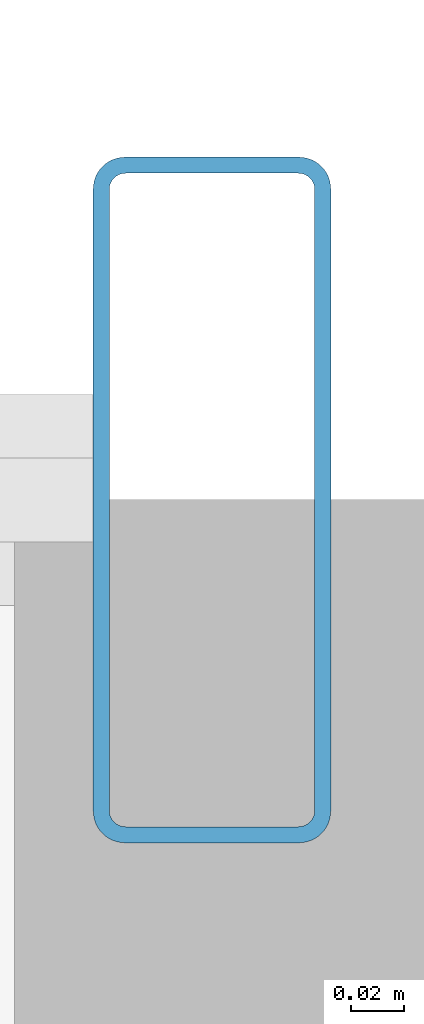
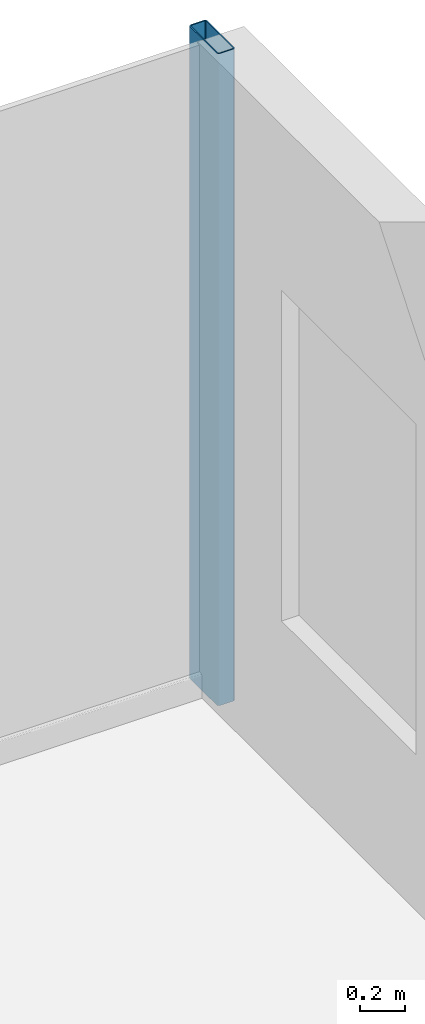
# One storey, part 14 of 26: 1 member, 1 element without a shape of its own.
"""IFC4 building model written with IfcOpenShell, lengths in metres."""

import ifcopenshell
import ifcopenshell.guid

model = None  # the IFC model being written
_history = None  # IfcOwnerHistory: only IFC2X3 demands one
_inside = {}  # id of a spatial element -> (the spatial element, [elements in it])
_under = {}  # id of a project, library or spatial element -> (it, [spatial elements below it])
_declared = {}  # id of a project -> (the project, [libraries it declares])
_typed = {}  # id of a type object -> (the type object, [elements of that type])
_made_of = {}  # id of a material, layer set ... -> (it, [elements and type objects made of it])


def new_model(schema):
    """Start an empty IFC model of exactly this schema.

    Asked for "IFC4X3", IfcOpenShell would pick the latest addendum, in which some entities
    have other attributes; the version numbers below select the first issue.
    IFC2X3 requires an IfcOwnerHistory on every rooted entity: one is made here for all.
    """
    global model, _history
    if schema == "IFC4X3":
        model = ifcopenshell.file(schema_version=(4, 3, 0, 0))
    else:
        model = ifcopenshell.file(schema=schema)
    _inside.clear()
    _under.clear()
    _declared.clear()
    _typed.clear()
    _made_of.clear()
    _history = None
    if model.schema == "IFC2X3":
        org = make("IfcOrganization", Name="unknown")
        user = make(
            "IfcPersonAndOrganization",
            ThePerson=make("IfcPerson", FamilyName="unknown"),
            TheOrganization=org,
        )
        app = make(
            "IfcApplication",
            ApplicationDeveloper=org,
            Version="unknown",
            ApplicationFullName="unknown",
            ApplicationIdentifier="unknown",
        )
        _history = make(
            "IfcOwnerHistory",
            OwningUser=user,
            OwningApplication=app,
            ChangeAction="ADDED",
            CreationDate=0,
        )
    return model


def make(cls, **values):
    """One entity of the class cls with the attributes given. An attribute that is None is left unset."""
    return model.create_entity(
        cls, **{name: value for name, value in values.items() if value is not None}
    )


def rooted(cls, **values):
    """An entity with a GlobalId (a new one), such as an element, a storey or a relation."""
    return make(cls, GlobalId=ifcopenshell.guid.new(), OwnerHistory=_history, **values)


def si_unit(unit_type, name, prefix=None):
    """IfcSIUnit, for example si_unit("LENGTHUNIT", "METRE", prefix="MILLI")."""
    return make("IfcSIUnit", UnitType=unit_type, Prefix=prefix, Name=name)


def assignment(units):
    """IfcUnitAssignment: the units of a project."""
    return None if units is None else make("IfcUnitAssignment", Units=units)


def point(xyz):
    """IfcCartesianPoint."""
    return None if xyz is None else make("IfcCartesianPoint", Coordinates=xyz)


def direction(xyz):
    """IfcDirection."""
    return None if xyz is None else make("IfcDirection", DirectionRatios=xyz)


def frame(location, z_axis=None, x_axis=None):
    """IfcAxis2Placement3D, a coordinate frame: its origin and axes. An axis left out is left unset."""
    return make(
        "IfcAxis2Placement3D",
        Location=point(location),
        Axis=direction(z_axis),
        RefDirection=direction(x_axis),
    )


def frame_2d(location, x_axis=None):
    """IfcAxis2Placement2D, a coordinate frame in the plane: its origin and x axis."""
    return make(
        "IfcAxis2Placement2D", Location=point(location), RefDirection=direction(x_axis)
    )


def origin():
    """The frame at (0, 0, 0) with its axes left unset."""
    return frame((0.0, 0.0, 0.0))


def origin_2d():
    """The frame at (0, 0) in the plane with its x axis left unset."""
    return frame_2d((0.0, 0.0))


def place(relative_to, where):
    """IfcLocalPlacement: puts the frame where relative to a parent placement (None: the world)."""
    return make(
        "IfcLocalPlacement", PlacementRelTo=relative_to, RelativePlacement=where
    )


def context(
    kind, dimensions, precision=None, world=None, true_north=None, identifier=None
):
    """IfcGeometricRepresentationContext, for example the 3D "Model" context."""
    return make(
        "IfcGeometricRepresentationContext",
        ContextIdentifier=identifier,
        ContextType=kind,
        CoordinateSpaceDimension=dimensions,
        Precision=precision,
        WorldCoordinateSystem=world,
        TrueNorth=true_north,
    )


def subcontext(parent, identifier, kind, view, scale=None):
    """IfcGeometricRepresentationSubContext, for example "Body" below "Model"."""
    return make(
        "IfcGeometricRepresentationSubContext",
        ContextIdentifier=identifier,
        ContextType=kind,
        ParentContext=parent,
        TargetScale=scale,
        TargetView=view,
    )


def project(units=None, contexts=None):
    """IfcProject with its units and contexts."""
    return rooted(
        "IfcProject",
        Name="project",
        RepresentationContexts=contexts,
        UnitsInContext=assignment(units),
    )


def spatial(cls, under=None, at=None, **own):
    """A site, building, storey or space (cls), placed at a placement, below another one or the project."""
    s = rooted(cls, ObjectPlacement=at, **own)
    if under is not None:
        _under.setdefault(under.id(), (under, []))[1].append(s)
    return s


def profile(cls, at=None, kind="AREA", **sizes):
    """A parametric profile (cls). Its sizes go by their IFC names, for example OverallWidth=200.0."""
    return make(cls, ProfileType=kind, Position=at, **sizes)


def hollow_rectangle(**sizes):
    """IfcRectangleHollowProfileDef."""
    return profile("IfcRectangleHollowProfileDef", **sizes)


def extrude(swept, where, along, depth):
    """IfcExtrudedAreaSolid: the profile swept, set in the frame where, extruded along a direction by depth."""
    return make(
        "IfcExtrudedAreaSolid",
        SweptArea=swept,
        Position=where,
        ExtrudedDirection=direction(along),
        Depth=depth,
    )


def shape(context_of_items, identifier, shape_type, items):
    """IfcShapeRepresentation: the items that make up one representation, for example the "Body"."""
    return make(
        "IfcShapeRepresentation",
        ContextOfItems=context_of_items,
        RepresentationIdentifier=identifier,
        RepresentationType=shape_type,
        Items=items,
    )


def source(mapping_origin, context_of_items, identifier, shape_type, items):
    """IfcRepresentationMap: a shape defined once, which mapped items show again and again."""
    return make(
        "IfcRepresentationMap",
        MappingOrigin=mapping_origin,
        MappedRepresentation=shape(context_of_items, identifier, shape_type, items),
    )


def transform(
    local_origin,
    x_axis=None,
    y_axis=None,
    z_axis=None,
    scale=None,
    scale2=None,
    scale3=None,
    uniform=True,
):
    """IfcCartesianTransformationOperator3D, or its non-uniform kind. x_axis, y_axis, z_axis: its Axis1, 2, 3."""
    if uniform:
        return make(
            "IfcCartesianTransformationOperator3D",
            Axis1=direction(x_axis),
            Axis2=direction(y_axis),
            LocalOrigin=point(local_origin),
            Scale=scale,
            Axis3=direction(z_axis),
        )
    return make(
        "IfcCartesianTransformationOperator3DnonUniform",
        Axis1=direction(x_axis),
        Axis2=direction(y_axis),
        LocalOrigin=point(local_origin),
        Scale=scale,
        Axis3=direction(z_axis),
        Scale2=scale2,
        Scale3=scale3,
    )


def mapped(mapping_source, mapping_target):
    """IfcMappedItem: shows the shape of a source again, moved by a transform."""
    return make(
        "IfcMappedItem", MappingSource=mapping_source, MappingTarget=mapping_target
    )


def material(Name=None, Category=None):
    """IfcMaterial."""
    return make("IfcMaterial", Name=Name, Category=Category)


def layer(
    of_material, thickness, ventilated=None, Name=None, Category=None, Priority=None
):
    """IfcMaterialLayer: one layer of a wall or slab, of a material (None: an air gap)."""
    return make(
        "IfcMaterialLayer",
        Material=of_material,
        LayerThickness=thickness,
        IsVentilated=ventilated,
        Name=Name,
        Category=Category,
        Priority=Priority,
    )


def layer_set(layers, Name=None):
    """IfcMaterialLayerSet."""
    return make("IfcMaterialLayerSet", MaterialLayers=layers, LayerSetName=Name)


def material_profile(
    of_material, cross_section, Name=None, Category=None, Priority=None
):
    """IfcMaterialProfile: a cross section and its material."""
    return make(
        "IfcMaterialProfile",
        Name=Name,
        Material=of_material,
        Profile=cross_section,
        Priority=Priority,
        Category=Category,
    )


def profile_set(profiles, Name=None, composite=None):
    """IfcMaterialProfileSet."""
    return make(
        "IfcMaterialProfileSet",
        Name=Name,
        MaterialProfiles=profiles,
        CompositeProfile=composite,
    )


def made_of(thing, what):
    """Note that an element or type object is made of a material, layer set ...; save() writes the relation."""
    if what is not None:
        _made_of.setdefault(what.id(), (what, []))[1].append(thing)
    return thing


def type_object(cls, material=None, **own):
    """A type object (cls), such as IfcWallType, which elements share."""
    return made_of(rooted(cls, **own), material)


def element(
    cls,
    number,
    at=None,
    inside=None,
    cuts=None,
    type_object=None,
    material=None,
    context=None,
    identifier="Body",
    shape_type=None,
    held_by="IfcProductDefinitionShape",
    body=None,
    shapes=None,
    **own,
):
    """One element of the class cls, such as IfcWall. Its Tag is "e" and its number.

    at: its placement. inside: the storey or other place that contains it. cuts: it is an
    opening in that element (IfcRelVoidsElement). A single representation is given by context,
    identifier, shape_type and body (its items); several are given by shapes. held_by: the class
    of the entity that holds the representations. save() writes the other relations.
    """
    e = rooted(cls, Tag="e%d" % number, ObjectPlacement=at, **own)
    if body is not None:
        shapes = [shape(context, identifier, shape_type, body)]
    if shapes is not None:
        e.Representation = make(held_by, Representations=shapes)
    if inside is not None:
        _inside.setdefault(inside.id(), (inside, []))[1].append(e)
    if cuts is not None:
        rooted(
            "IfcRelVoidsElement", RelatingBuildingElement=cuts, RelatedOpeningElement=e
        )
    if type_object is not None:
        _typed.setdefault(type_object.id(), (type_object, []))[1].append(e)
    return made_of(e, material)


def aggregate(whole, parts):
    """IfcRelAggregates: a whole, such as a stair, and the parts it consists of."""
    return rooted("IfcRelAggregates", RelatingObject=whole, RelatedObjects=parts)


def save(model, path):
    """Write the relations noted so far, then the file.

    IfcRelAggregates (storeys below a building ...), IfcRelContainedInSpatialStructure (elements
    in a storey), IfcRelDefinesByType, IfcRelAssociatesMaterial and IfcRelDeclares: one each for
    every whole, place, type object, material and project.
    """
    for whole, parts in _under.values():
        aggregate(whole, parts)
    for where, things in _inside.values():
        rooted(
            "IfcRelContainedInSpatialStructure",
            RelatedElements=things,
            RelatingStructure=where,
        )
    for kind, things in _typed.values():
        rooted("IfcRelDefinesByType", RelatedObjects=things, RelatingType=kind)
    for what, things in _made_of.values():
        rooted("IfcRelAssociatesMaterial", RelatedObjects=things, RelatingMaterial=what)
    for by, libraries in _declared.values():
        rooted("IfcRelDeclares", RelatingContext=by, RelatedDefinitions=libraries)
    model.write(path)


model = new_model("IFC4")

# Units and contexts
model_context = context("Model", 3, precision=1e-05, world=origin(), true_north=direction((0.0, 1.0)))
body_context = subcontext(model_context, "Body", "Model", "MODEL_VIEW")
ifc_project = project(units=[si_unit("LENGTHUNIT", "METRE"), si_unit("AREAUNIT", "SQUARE_METRE"), si_unit("VOLUMEUNIT", "CUBIC_METRE"), si_unit("PLANEANGLEUNIT", "RADIAN"), si_unit("MASSUNIT", "GRAM", prefix="KILO")], contexts=[model_context])

# Site, building, storey
site_placement = place(None, origin())
site = spatial("IfcSite", under=ifc_project, at=site_placement, CompositionType="ELEMENT")
building_placement = place(site_placement, origin())
building = spatial("IfcBuilding", under=site, at=building_placement, Name="Nefas-Gora Pilgrimage Tower", CompositionType="ELEMENT")
storey_placement = place(building_placement, frame((0.0, 0.0, 63.39990234375)))
storey = spatial("IfcBuildingStorey", under=building, at=storey_placement, Name="L14", CompositionType="ELEMENT", Elevation=63.39990234375)

# Curtain wall, member
ifc_material_1 = material(Name="Dark ceramic-fritted solar-control aluminium-glass curtain wall", Category="aluminium")
ifc_layer = layer(ifc_material_1, 0.219970703125)
ifc_layer_set = layer_set([ifc_layer], Name="Dark ceramic-fritted solar-control aluminium-glass curtain wall")
curtain_wall_type = type_object("IfcCurtainWallType", Name="CW-SYS-2", PredefinedType="NOTDEFINED", material=ifc_layer_set)
curtain_wall_placement = place(storey_placement, origin())
curtain_wall = element("IfcCurtainWall", 1, at=curtain_wall_placement, inside=storey, type_object=curtain_wall_type, Name="L14 Unitised Curtain Wall CW2", PredefinedType="NOTDEFINED")
ifc_material_2 = material(Name="Anodised architectural aluminium", Category="aluminium")
ifc_material_profile = material_profile(ifc_material_2, hollow_rectangle(XDim=0.090087890625, YDim=0.260009765625, WallThickness=0.006103515625, InnerFilletRadius=0.006103515625, OuterFilletRadius=0.011962890625, at=origin_2d()), Name="ALU MULLION 90x260")
ifc_profile_set = profile_set([ifc_material_profile], Name="Anodised architectural aluminium")
member_type = type_object("IfcMemberType", Name="CWM-MUL-2", PredefinedType="MULLION", material=ifc_profile_set)
shared_shape = source(origin(), body_context, "Body", "SweptSolid", [
    extrude(hollow_rectangle(XDim=0.090087890625, YDim=0.260009765625, WallThickness=0.006103515625, InnerFilletRadius=0.006103515625, OuterFilletRadius=0.011962890625, at=origin_2d()), origin(), (0.0, 0.0, 1.0), 3.550048828125),
])
member_placement = place(storey_placement, frame((28.824951171875, 23.02001953125, 0.0), z_axis=(0.0, 0.0, 1.0), x_axis=(-1.0, 0.0, 0.0)))
member = element("IfcMember", 2, at=member_placement, type_object=member_type, Name="CW2 Mullion 1", PredefinedType="MULLION", context=body_context, shape_type="MappedRepresentation", body=[
    mapped(shared_shape, transform((0.0, 0.0, 0.0), x_axis=(1.0, 0.0, 0.0), y_axis=(0.0, 1.0, 0.0), z_axis=(0.0, 0.0, 1.0), scale=1.0)),
])
aggregate(curtain_wall, [member])

save(model, "model.ifc")
